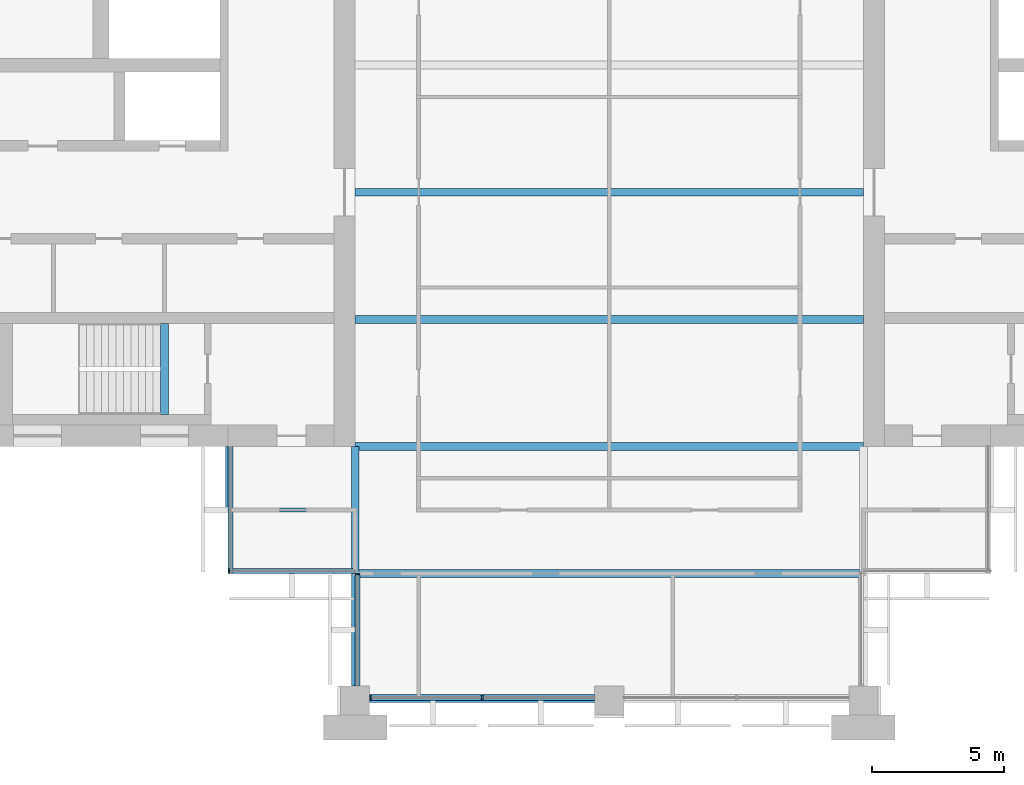
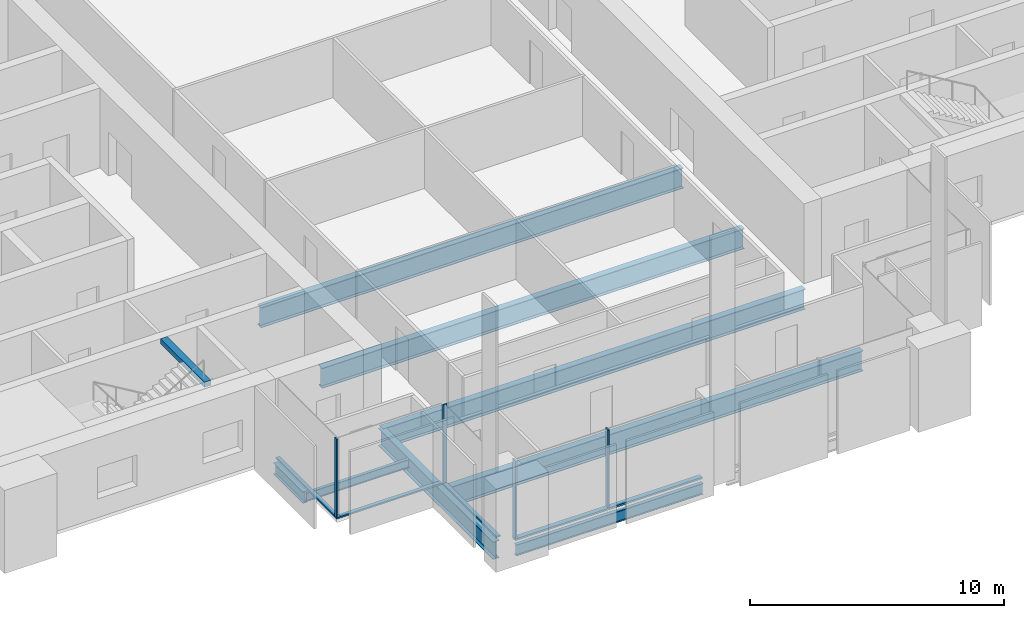
# One storey, part 2 of 13: 9 beams, 8 members, 4 elements without a shape of their own.
"""IFC4 building model written with IfcOpenShell, lengths in metres."""

from ifc_helpers import new_model, si_unit, direction, frame, origin, origin_2d, place, context, subcontext, project, spatial, rectangle, i_section, extrude, material, material_profile, profile_set, type_object, element, aggregate, save


model = new_model("IFC4")

# Units and contexts
model_context = context("Model", 3, precision=1e-05, world=origin(), true_north=direction((0.0, 1.0)))
body_context = subcontext(model_context, "Body", "Model", "MODEL_VIEW")
ifc_project = project(units=[si_unit("LENGTHUNIT", "METRE"), si_unit("AREAUNIT", "SQUARE_METRE"), si_unit("VOLUMEUNIT", "CUBIC_METRE"), si_unit("PLANEANGLEUNIT", "RADIAN"), si_unit("MASSUNIT", "GRAM", prefix="KILO")], contexts=[model_context])

# Site, building, storey
site_placement = place(None, origin())
site = spatial("IfcSite", under=ifc_project, at=site_placement, CompositionType="ELEMENT")
building_placement = place(site_placement, origin())
building = spatial("IfcBuilding", under=site, at=building_placement, Name="Baori Bourse Tower", CompositionType="ELEMENT")
storey_placement = place(building_placement, frame((0.0, 0.0, 237.199951171875)))
storey = spatial("IfcBuildingStorey", under=building, at=storey_placement, Name="L52", CompositionType="ELEMENT", Elevation=237.199951171875)

# Curtain wall, member
ifc_material_1 = material(Name="Pale anodised aluminium", Category="aluminium")
curtain_wall_type_1 = type_object("IfcCurtainWallType", Name="CW2 Curtain wall", PredefinedType="NOTDEFINED", material=ifc_material_1)
curtain_wall_1_placement = place(storey_placement, origin())
curtain_wall_1 = element("IfcCurtainWall", 1, at=curtain_wall_1_placement, inside=storey, type_object=curtain_wall_type_1, Name="Curtain wall CW2 L52 9", PredefinedType="NOTDEFINED")
ifc_material_2 = material(Name="Pale anodised aluminium", Category="aluminium")
ifc_material_profile_1 = material_profile(ifc_material_2, rectangle(XDim=0.179931640625, YDim=0.054931640625, at=origin_2d()), Name="Mullion 55x180")
ifc_profile_set_1 = profile_set([ifc_material_profile_1], Name="Pale anodised aluminium")
member_type_1 = type_object("IfcMemberType", Name="CW2 Curtain wall mullion", PredefinedType="MULLION", material=ifc_profile_set_1)
member_1_placement = place(storey_placement, frame((14.427490234375, 4.889892578125, 0.070068359375), z_axis=(0.0, 0.0, 1.0), x_axis=(0.0, 1.0, 0.0)))
member_1 = element("IfcMember", 2, at=member_1_placement, type_object=member_type_1, Name="Curtain wall CW2 mullion", PredefinedType="MULLION", context=body_context, shape_type="SweptSolid", body=[
    extrude(rectangle(XDim=0.179931640625, YDim=0.054931640625, at=origin_2d()), origin(), (0.0, 0.0, 1.0), 3.77001953125),
])

curtain_wall_2_placement = place(storey_placement, origin())
curtain_wall_2 = element("IfcCurtainWall", 3, at=curtain_wall_2_placement, inside=storey, type_object=curtain_wall_type_1, Name="Curtain wall CW2 L52 10", PredefinedType="NOTDEFINED")
member_2_placement = place(storey_placement, frame((19.2900390625, 4.7724609375, 0.070068359375), z_axis=(0.0, 0.0, 1.0), x_axis=(1.0, 0.0, 0.0)))
member_2 = element("IfcMember", 4, at=member_2_placement, type_object=member_type_1, Name="Curtain wall CW2 mullion", PredefinedType="MULLION", context=body_context, shape_type="SweptSolid", body=[
    extrude(rectangle(XDim=0.179931640625, YDim=0.054931640625, at=origin_2d()), origin(), (0.0, 0.0, 1.0), 3.77001953125),
])

curtain_wall_3_placement = place(storey_placement, origin())
curtain_wall_3 = element("IfcCurtainWall", 5, at=curtain_wall_3_placement, inside=storey, type_object=curtain_wall_type_1, Name="Curtain wall CW2 L52 8", PredefinedType="NOTDEFINED")
ifc_material_3 = material(Name="Pale anodised aluminium", Category="aluminium")
ifc_material_profile_2 = material_profile(ifc_material_3, rectangle(XDim=0.179931640625, YDim=0.070068359375, at=origin_2d()), Name="Transom 70x180")
ifc_profile_set_2 = profile_set([ifc_material_profile_2], Name="Pale anodised aluminium")
member_type_2 = type_object("IfcMemberType", Name="CW2 Curtain wall transom", PredefinedType="USERDEFINED", material=ifc_profile_set_2)
member_3_placement = place(storey_placement, frame((14.489990234375, 9.60009765625, 0.03515625), z_axis=(0.0, -1.0, 0.0), x_axis=(1.0, 0.0, 0.0)))
member_3 = element("IfcMember", 6, at=member_3_placement, type_object=member_type_2, Name="Curtain wall CW2 sill rail", ObjectType="TRANSOM", PredefinedType="USERDEFINED", context=body_context, shape_type="SweptSolid", body=[
    extrude(rectangle(XDim=0.179931640625, YDim=0.070068359375, at=origin_2d()), origin(), (0.0, 0.0, 1.0), 4.800048828125),
])
aggregate(curtain_wall_3, [member_3])

# Member
member_4_placement = place(storey_placement, frame((14.39990234375, 4.889892578125, 0.03515625), z_axis=(1.0, 0.0, 0.0), x_axis=(0.0, 1.0, 0.0)))
member_4 = element("IfcMember", 7, at=member_4_placement, type_object=member_type_2, Name="Curtain wall CW2 sill rail", ObjectType="TRANSOM", PredefinedType="USERDEFINED", context=body_context, shape_type="SweptSolid", body=[
    extrude(rectangle(XDim=0.179931640625, YDim=0.070068359375, at=origin_2d()), origin(), (0.0, 0.0, 1.0), 4.800048828125),
])

aggregate(curtain_wall_1, [member_4, member_1])

member_5_placement = place(storey_placement, frame((19.2900390625, 4.800048828125, 0.03515625), z_axis=(0.0, -1.0, 0.0), x_axis=(1.0, 0.0, 0.0)))
member_5 = element("IfcMember", 8, at=member_5_placement, type_object=member_type_2, Name="Curtain wall CW2 sill rail", ObjectType="TRANSOM", PredefinedType="USERDEFINED", context=body_context, shape_type="SweptSolid", body=[
    extrude(rectangle(XDim=0.179931640625, YDim=0.070068359375, at=origin_2d()), origin(), (0.0, 0.0, 1.0), 4.25),
])

aggregate(curtain_wall_2, [member_5, member_2])

# Curtain wall, members
ifc_material_4 = material(Name="Pale anodised aluminium", Category="aluminium")
curtain_wall_type_2 = type_object("IfcCurtainWallType", Name="CW5 Curtain wall", PredefinedType="NOTDEFINED", material=ifc_material_4)
curtain_wall_4_placement = place(storey_placement, origin())
curtain_wall_4 = element("IfcCurtainWall", 9, at=curtain_wall_4_placement, inside=storey, type_object=curtain_wall_type_2, Name="Curtain wall CW5 L52 11", PredefinedType="NOTDEFINED")
ifc_material_5 = material(Name="Pale anodised aluminium", Category="aluminium")
ifc_material_profile_3 = material_profile(ifc_material_5, rectangle(XDim=0.219970703125, YDim=0.06494140625, at=origin_2d()), Name="Mullion 65x220")
ifc_profile_set_3 = profile_set([ifc_material_profile_3], Name="Pale anodised aluminium")
member_type_3 = type_object("IfcMemberType", Name="CW5 Curtain wall mullion", PredefinedType="MULLION", material=ifc_profile_set_3)
member_6_placement = place(storey_placement, frame((19.782470703125, 0.110107421875, 0.0849609375), z_axis=(0.0, 0.0, 1.0), x_axis=(0.0, 1.0, 0.0)))
member_6 = element("IfcMember", 10, at=member_6_placement, type_object=member_type_3, Name="Curtain wall CW5 mullion", PredefinedType="MULLION", context=body_context, shape_type="SweptSolid", body=[
    extrude(rectangle(XDim=0.219970703125, YDim=0.06494140625, at=origin_2d()), origin(), (0.0, 0.0, 1.0), 3.755126953125),
])
member_7_placement = place(storey_placement, frame((24.0, 0.110107421875, 0.0849609375), z_axis=(0.0, 0.0, 1.0), x_axis=(0.0, 1.0, 0.0)))
member_7 = element("IfcMember", 11, at=member_7_placement, type_object=member_type_3, Name="Curtain wall CW5 mullion", PredefinedType="MULLION", context=body_context, shape_type="SweptSolid", body=[
    extrude(rectangle(XDim=0.219970703125, YDim=0.06494140625, at=origin_2d()), origin(), (0.0, 0.0, 1.0), 3.755126953125),
])
ifc_material_6 = material(Name="Pale anodised aluminium", Category="aluminium")
ifc_material_profile_4 = material_profile(ifc_material_6, rectangle(XDim=0.219970703125, YDim=0.0849609375, at=origin_2d()), Name="Transom 85x220")
ifc_profile_set_4 = profile_set([ifc_material_profile_4], Name="Pale anodised aluminium")
member_type_4 = type_object("IfcMemberType", Name="CW5 Curtain wall transom", PredefinedType="USERDEFINED", material=ifc_profile_set_4)
member_8_placement = place(storey_placement, frame((19.75, 0.110107421875, 0.04248046875), z_axis=(1.0, 0.0, 0.0), x_axis=(0.0, 1.0, 0.0)))
member_8 = element("IfcMember", 12, at=member_8_placement, type_object=member_type_4, Name="Curtain wall CW5 sill rail", ObjectType="TRANSOM", PredefinedType="USERDEFINED", context=body_context, shape_type="SweptSolid", body=[
    extrude(rectangle(XDim=0.219970703125, YDim=0.0849609375, at=origin_2d()), origin(), (0.0, 0.0, 1.0), 8.5),
])
aggregate(curtain_wall_4, [member_8, member_6, member_7])

# Beams
ifc_material_7 = material(Name="Steel A992 Gr 50", Category="steel")
ifc_material_profile_5 = material_profile(ifc_material_7, i_section(OverallWidth=0.21240234375, OverallDepth=0.54345703125, WebThickness=0.01318359375, FlangeThickness=0.021240234375, at=origin_2d()), Name="W21x83")
ifc_profile_set_5 = profile_set([ifc_material_profile_5], Name="Steel A992 Gr 50")
beam_type_1 = type_object("IfcBeamType", Name="Core bracket W21x83", PredefinedType="BEAM", material=ifc_profile_set_5)
beam_1_placement = place(storey_placement, frame((14.39990234375, 7.270263671875, -0.431640625), z_axis=(0.0, 1.0, 0.0), x_axis=(-1.0, 0.0, 0.0)))
element("IfcBeam", 13, at=beam_1_placement, inside=storey, type_object=beam_type_1, Name="Core bracket L52", PredefinedType="BEAM", context=body_context, shape_type="SweptSolid", body=[
    extrude(i_section(OverallWidth=0.21240234375, OverallDepth=0.54345703125, WebThickness=0.01318359375, FlangeThickness=0.021240234375, at=origin_2d()), origin(), (0.0, 0.0, 1.0), 2.329833984375),
])
ifc_material_8 = material(Name="Steel A992 Gr 50", Category="steel")
ifc_material_profile_6 = material_profile(ifc_material_8, i_section(OverallWidth=0.1650390625, OverallDepth=0.52587890625, WebThickness=0.0087890625, FlangeThickness=0.011474609375, at=origin_2d()), Name="W21x44")
ifc_profile_set_6 = profile_set([ifc_material_profile_6], Name="Steel A992 Gr 50")
beam_type_2 = type_object("IfcBeamType", Name="Edge beam W21x44", PredefinedType="BEAM", material=ifc_profile_set_6)
beam_2_placement = place(storey_placement, frame((19.75, 0.0, -0.4228515625), z_axis=(1.0, 0.0, 0.0), x_axis=(0.0, 1.0, 0.0)))
element("IfcBeam", 14, at=beam_2_placement, inside=storey, type_object=beam_type_2, Name="Edge beam L52", PredefinedType="BEAM", context=body_context, shape_type="SweptSolid", body=[
    extrude(i_section(OverallWidth=0.1650390625, OverallDepth=0.52587890625, WebThickness=0.0087890625, FlangeThickness=0.011474609375, at=origin_2d()), origin(), (0.0, 0.0, 1.0), 8.5),
])
ifc_material_9 = material(Name="Steel A992 Gr 50", Category="steel")
ifc_material_profile_7 = material_profile(ifc_material_9, i_section(OverallWidth=0.2998046875, OverallDepth=0.97021484375, WebThickness=0.01611328125, FlangeThickness=0.02099609375, at=origin_2d()), Name="W40x149")
ifc_profile_set_7 = profile_set([ifc_material_profile_7], Name="Steel A992 Gr 50")
beam_type_3 = type_object("IfcBeamType", Name="Floor beam W40x149", PredefinedType="BEAM", material=ifc_profile_set_7)
beam_3_placement = place(storey_placement, frame((19.345947265625, 4.800048828125, -0.64501953125), z_axis=(1.0, 0.0, 0.0), x_axis=(0.0, 1.0, 0.0)))
element("IfcBeam", 15, at=beam_3_placement, inside=storey, type_object=beam_type_3, Name="Floor beam L52", PredefinedType="BEAM", context=body_context, shape_type="SweptSolid", body=[
    extrude(i_section(OverallWidth=0.2998046875, OverallDepth=0.97021484375, WebThickness=0.01611328125, FlangeThickness=0.02099609375, at=origin_2d()), origin(), (0.0, 0.0, 1.0), 18.907958984375),
])
for number, where, z_axis, x_axis, name in (
    (16, (19.199951171875, 9.60009765625, -0.64501953125), (1.0, 0.0, 0.0), (0.0, 1.0, 0.0), "Floor beam L52"),
    (17, (19.199951171875, 14.39990234375, -0.64501953125), (1.0, 0.0, 0.0), (0.0, 1.0, 0.0), "Floor beam L52"),
    (18, (19.199951171875, 19.199951171875, -0.64501953125), (1.0, 0.0, 0.0), (0.0, 1.0, 0.0), "Floor beam L52"),
):
    element("IfcBeam", number, at=place(storey_placement, frame(where, z_axis=z_axis, x_axis=x_axis)), inside=storey, type_object=beam_type_3, Name=name, PredefinedType="BEAM", context=body_context, shape_type="SweptSolid", body=[
        extrude(i_section(OverallWidth=0.2998046875, OverallDepth=0.97021484375, WebThickness=0.01611328125, FlangeThickness=0.02099609375, at=origin_2d()), origin(), (0.0, 0.0, 1.0), 19.199951171875),
    ])
ifc_material_10 = material(Name="Steel A992 Gr 50", Category="steel")
ifc_material_profile_8 = material_profile(ifc_material_10, i_section(OverallWidth=0.2919921875, OverallDepth=0.835693359375, WebThickness=0.013916015625, FlangeThickness=0.018798828125, at=origin_2d()), Name="W33x118")
ifc_profile_set_8 = profile_set([ifc_material_profile_8], Name="Steel A992 Gr 50")
beam_type_4 = type_object("IfcBeamType", Name="Girder W33x118", PredefinedType="BEAM", material=ifc_profile_set_8)
beam_4_placement = place(storey_placement, frame((19.199951171875, 0.550048828125, -0.577880859375), z_axis=(0.0, 1.0, 0.0), x_axis=(-1.0, 0.0, 0.0)))
element("IfcBeam", 19, at=beam_4_placement, inside=storey, type_object=beam_type_4, Name="Girder L52", PredefinedType="BEAM", context=body_context, shape_type="SweptSolid", body=[
    extrude(i_section(OverallWidth=0.2919921875, OverallDepth=0.835693359375, WebThickness=0.013916015625, FlangeThickness=0.018798828125, at=origin_2d()), origin(), (0.0, 0.0, 1.0), 9.050048828125),
])
ifc_material_11 = material(Name="Concrete f'c 50 MPa", Category="concrete")
ifc_material_profile_9 = material_profile(ifc_material_11, rectangle(XDim=0.300048828125, YDim=0.25, at=origin_2d()), Name="RC 300x250")
ifc_profile_set_9 = profile_set([ifc_material_profile_9], Name="Concrete f'c 50 MPa")
beam_type_5 = type_object("IfcBeamType", Name="Stair nib beam RC 300x250", PredefinedType="BEAM", material=ifc_profile_set_9)
beam_5_placement = place(storey_placement, frame((12.0, 10.800048828125, 3.715087890625), z_axis=(0.0, 1.0, 0.0), x_axis=(-1.0, 0.0, 0.0)))
element("IfcBeam", 20, at=beam_5_placement, inside=storey, type_object=beam_type_5, Name="Stair WA nib beam L53", PredefinedType="BEAM", context=body_context, shape_type="SweptSolid", body=[
    extrude(rectangle(XDim=0.300048828125, YDim=0.25, at=origin_2d()), origin(), (0.0, 0.0, 1.0), 3.449951171875),
])
ifc_material_12 = material(Name="Steel A992 Gr 50", Category="steel")
ifc_material_profile_10 = material_profile(ifc_material_12, i_section(OverallWidth=0.140380859375, OverallDepth=0.40380859375, WebThickness=0.007080078125, FlangeThickness=0.01123046875, at=origin_2d()), Name="W16x31")
ifc_profile_set_10 = profile_set([ifc_material_profile_10], Name="Steel A992 Gr 50")
beam_type_6 = type_object("IfcBeamType", Name="Trimmer beam W16x31", PredefinedType="BEAM", material=ifc_profile_set_10)
beam_6_placement = place(storey_placement, frame((14.39990234375, 7.199951171875, -0.36181640625), z_axis=(1.0, 0.0, 0.0), x_axis=(0.0, 1.0, 0.0)))
element("IfcBeam", 21, at=beam_6_placement, inside=storey, type_object=beam_type_6, Name="Trimmer beam L52", PredefinedType="BEAM", context=body_context, shape_type="SweptSolid", body=[
    extrude(i_section(OverallWidth=0.140380859375, OverallDepth=0.40380859375, WebThickness=0.007080078125, FlangeThickness=0.01123046875, at=origin_2d()), origin(), (0.0, 0.0, 1.0), 4.654052734375),
])

save(model, "model.ifc")
